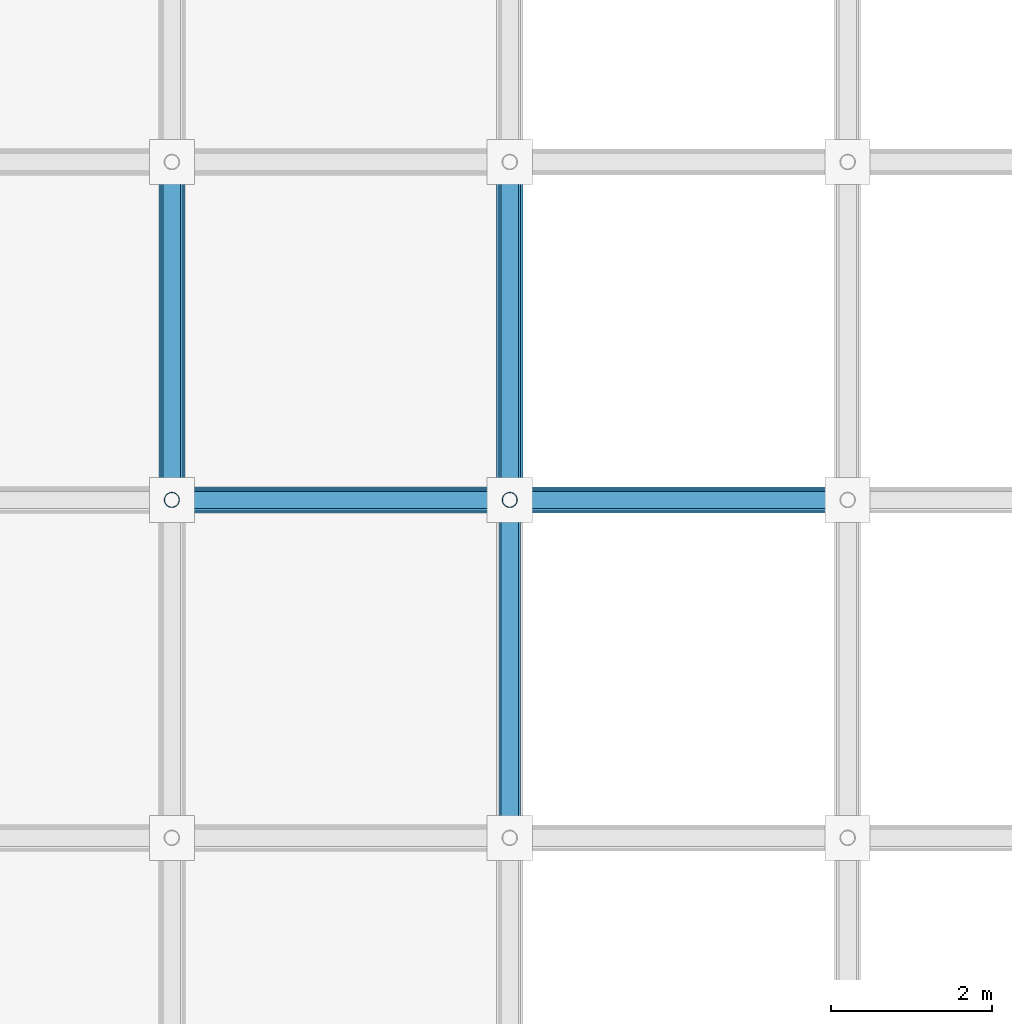
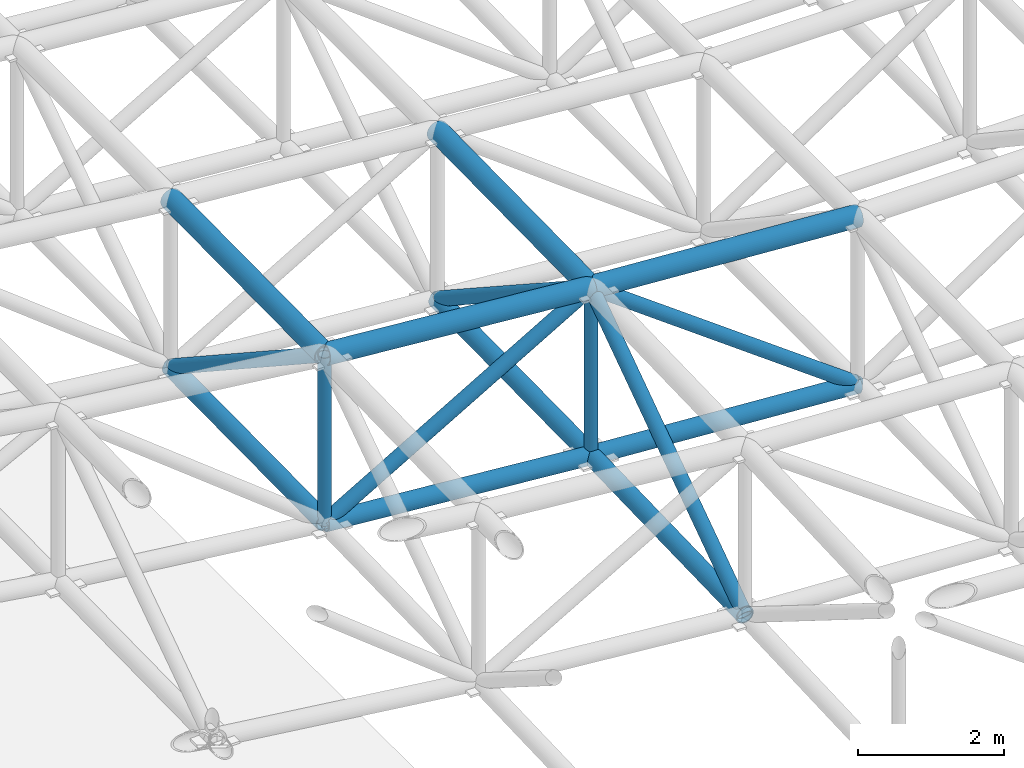
# One storey, part 12 of 93: 16 members.
"""IFC4 building model written with IfcOpenShell, lengths in metres."""

import ifcopenshell
import ifcopenshell.guid

model = None  # the IFC model being written
_history = None  # IfcOwnerHistory: only IFC2X3 demands one
_inside = {}  # id of a spatial element -> (the spatial element, [elements in it])
_under = {}  # id of a project, library or spatial element -> (it, [spatial elements below it])
_declared = {}  # id of a project -> (the project, [libraries it declares])
_typed = {}  # id of a type object -> (the type object, [elements of that type])
_made_of = {}  # id of a material, layer set ... -> (it, [elements and type objects made of it])


def new_model(schema):
    """Start an empty IFC model of exactly this schema.

    Asked for "IFC4X3", IfcOpenShell would pick the latest addendum, in which some entities
    have other attributes; the version numbers below select the first issue.
    IFC2X3 requires an IfcOwnerHistory on every rooted entity: one is made here for all.
    """
    global model, _history
    if schema == "IFC4X3":
        model = ifcopenshell.file(schema_version=(4, 3, 0, 0))
    else:
        model = ifcopenshell.file(schema=schema)
    _inside.clear()
    _under.clear()
    _declared.clear()
    _typed.clear()
    _made_of.clear()
    _history = None
    if model.schema == "IFC2X3":
        org = make("IfcOrganization", Name="unknown")
        user = make(
            "IfcPersonAndOrganization",
            ThePerson=make("IfcPerson", FamilyName="unknown"),
            TheOrganization=org,
        )
        app = make(
            "IfcApplication",
            ApplicationDeveloper=org,
            Version="unknown",
            ApplicationFullName="unknown",
            ApplicationIdentifier="unknown",
        )
        _history = make(
            "IfcOwnerHistory",
            OwningUser=user,
            OwningApplication=app,
            ChangeAction="ADDED",
            CreationDate=0,
        )
    return model


def make(cls, **values):
    """One entity of the class cls with the attributes given. An attribute that is None is left unset."""
    return model.create_entity(
        cls, **{name: value for name, value in values.items() if value is not None}
    )


def rooted(cls, **values):
    """An entity with a GlobalId (a new one), such as an element, a storey or a relation."""
    return make(cls, GlobalId=ifcopenshell.guid.new(), OwnerHistory=_history, **values)


def si_unit(unit_type, name, prefix=None):
    """IfcSIUnit, for example si_unit("LENGTHUNIT", "METRE", prefix="MILLI")."""
    return make("IfcSIUnit", UnitType=unit_type, Prefix=prefix, Name=name)


def assignment(units):
    """IfcUnitAssignment: the units of a project."""
    return None if units is None else make("IfcUnitAssignment", Units=units)


def point(xyz):
    """IfcCartesianPoint."""
    return None if xyz is None else make("IfcCartesianPoint", Coordinates=xyz)


def direction(xyz):
    """IfcDirection."""
    return None if xyz is None else make("IfcDirection", DirectionRatios=xyz)


def frame(location, z_axis=None, x_axis=None):
    """IfcAxis2Placement3D, a coordinate frame: its origin and axes. An axis left out is left unset."""
    return make(
        "IfcAxis2Placement3D",
        Location=point(location),
        Axis=direction(z_axis),
        RefDirection=direction(x_axis),
    )


def frame_2d(location, x_axis=None):
    """IfcAxis2Placement2D, a coordinate frame in the plane: its origin and x axis."""
    return make(
        "IfcAxis2Placement2D", Location=point(location), RefDirection=direction(x_axis)
    )


def origin():
    """The frame at (0, 0, 0) with its axes left unset."""
    return frame((0.0, 0.0, 0.0))


def origin_2d():
    """The frame at (0, 0) in the plane with its x axis left unset."""
    return frame_2d((0.0, 0.0))


def place(relative_to, where):
    """IfcLocalPlacement: puts the frame where relative to a parent placement (None: the world)."""
    return make(
        "IfcLocalPlacement", PlacementRelTo=relative_to, RelativePlacement=where
    )


def context(
    kind, dimensions, precision=None, world=None, true_north=None, identifier=None
):
    """IfcGeometricRepresentationContext, for example the 3D "Model" context."""
    return make(
        "IfcGeometricRepresentationContext",
        ContextIdentifier=identifier,
        ContextType=kind,
        CoordinateSpaceDimension=dimensions,
        Precision=precision,
        WorldCoordinateSystem=world,
        TrueNorth=true_north,
    )


def subcontext(parent, identifier, kind, view, scale=None):
    """IfcGeometricRepresentationSubContext, for example "Body" below "Model"."""
    return make(
        "IfcGeometricRepresentationSubContext",
        ContextIdentifier=identifier,
        ContextType=kind,
        ParentContext=parent,
        TargetScale=scale,
        TargetView=view,
    )


def project(units=None, contexts=None):
    """IfcProject with its units and contexts."""
    return rooted(
        "IfcProject",
        Name="project",
        RepresentationContexts=contexts,
        UnitsInContext=assignment(units),
    )


def spatial(cls, under=None, at=None, **own):
    """A site, building, storey or space (cls), placed at a placement, below another one or the project."""
    s = rooted(cls, ObjectPlacement=at, **own)
    if under is not None:
        _under.setdefault(under.id(), (under, []))[1].append(s)
    return s


def profile(cls, at=None, kind="AREA", **sizes):
    """A parametric profile (cls). Its sizes go by their IFC names, for example OverallWidth=200.0."""
    return make(cls, ProfileType=kind, Position=at, **sizes)


def hollow_circle(**sizes):
    """IfcCircleHollowProfileDef."""
    return profile("IfcCircleHollowProfileDef", **sizes)


def extrude(swept, where, along, depth):
    """IfcExtrudedAreaSolid: the profile swept, set in the frame where, extruded along a direction by depth."""
    return make(
        "IfcExtrudedAreaSolid",
        SweptArea=swept,
        Position=where,
        ExtrudedDirection=direction(along),
        Depth=depth,
    )


def shape(context_of_items, identifier, shape_type, items):
    """IfcShapeRepresentation: the items that make up one representation, for example the "Body"."""
    return make(
        "IfcShapeRepresentation",
        ContextOfItems=context_of_items,
        RepresentationIdentifier=identifier,
        RepresentationType=shape_type,
        Items=items,
    )


def material(Name=None, Category=None):
    """IfcMaterial."""
    return make("IfcMaterial", Name=Name, Category=Category)


def material_profile(
    of_material, cross_section, Name=None, Category=None, Priority=None
):
    """IfcMaterialProfile: a cross section and its material."""
    return make(
        "IfcMaterialProfile",
        Name=Name,
        Material=of_material,
        Profile=cross_section,
        Priority=Priority,
        Category=Category,
    )


def profile_set(profiles, Name=None, composite=None):
    """IfcMaterialProfileSet."""
    return make(
        "IfcMaterialProfileSet",
        Name=Name,
        MaterialProfiles=profiles,
        CompositeProfile=composite,
    )


def made_of(thing, what):
    """Note that an element or type object is made of a material, layer set ...; save() writes the relation."""
    if what is not None:
        _made_of.setdefault(what.id(), (what, []))[1].append(thing)
    return thing


def type_object(cls, material=None, **own):
    """A type object (cls), such as IfcWallType, which elements share."""
    return made_of(rooted(cls, **own), material)


def element(
    cls,
    number,
    at=None,
    inside=None,
    cuts=None,
    type_object=None,
    material=None,
    context=None,
    identifier="Body",
    shape_type=None,
    held_by="IfcProductDefinitionShape",
    body=None,
    shapes=None,
    **own,
):
    """One element of the class cls, such as IfcWall. Its Tag is "e" and its number.

    at: its placement. inside: the storey or other place that contains it. cuts: it is an
    opening in that element (IfcRelVoidsElement). A single representation is given by context,
    identifier, shape_type and body (its items); several are given by shapes. held_by: the class
    of the entity that holds the representations. save() writes the other relations.
    """
    e = rooted(cls, Tag="e%d" % number, ObjectPlacement=at, **own)
    if body is not None:
        shapes = [shape(context, identifier, shape_type, body)]
    if shapes is not None:
        e.Representation = make(held_by, Representations=shapes)
    if inside is not None:
        _inside.setdefault(inside.id(), (inside, []))[1].append(e)
    if cuts is not None:
        rooted(
            "IfcRelVoidsElement", RelatingBuildingElement=cuts, RelatedOpeningElement=e
        )
    if type_object is not None:
        _typed.setdefault(type_object.id(), (type_object, []))[1].append(e)
    return made_of(e, material)


def aggregate(whole, parts):
    """IfcRelAggregates: a whole, such as a stair, and the parts it consists of."""
    return rooted("IfcRelAggregates", RelatingObject=whole, RelatedObjects=parts)


def save(model, path):
    """Write the relations noted so far, then the file.

    IfcRelAggregates (storeys below a building ...), IfcRelContainedInSpatialStructure (elements
    in a storey), IfcRelDefinesByType, IfcRelAssociatesMaterial and IfcRelDeclares: one each for
    every whole, place, type object, material and project.
    """
    for whole, parts in _under.values():
        aggregate(whole, parts)
    for where, things in _inside.values():
        rooted(
            "IfcRelContainedInSpatialStructure",
            RelatedElements=things,
            RelatingStructure=where,
        )
    for kind, things in _typed.values():
        rooted("IfcRelDefinesByType", RelatedObjects=things, RelatingType=kind)
    for what, things in _made_of.values():
        rooted("IfcRelAssociatesMaterial", RelatedObjects=things, RelatingMaterial=what)
    for by, libraries in _declared.values():
        rooted("IfcRelDeclares", RelatingContext=by, RelatedDefinitions=libraries)
    model.write(path)


model = new_model("IFC4")

# Units and contexts
model_context = context("Model", 3, precision=1e-05, world=origin(), true_north=direction((0.0, 1.0)))
body_context = subcontext(model_context, "Body", "Model", "MODEL_VIEW")
ifc_project = project(units=[si_unit("LENGTHUNIT", "METRE"), si_unit("AREAUNIT", "SQUARE_METRE"), si_unit("VOLUMEUNIT", "CUBIC_METRE"), si_unit("PLANEANGLEUNIT", "RADIAN"), si_unit("MASSUNIT", "GRAM", prefix="KILO")], contexts=[model_context])

# Site, building, storey
site_placement = place(None, origin())
site = spatial("IfcSite", under=ifc_project, at=site_placement, CompositionType="ELEMENT")
building_placement = place(site_placement, origin())
building = spatial("IfcBuilding", under=site, at=building_placement, Name="Cumbredor Promenade Congress Hotel", CompositionType="ELEMENT")
storey_placement = place(building_placement, frame((0.0, 0.0, 21.840087890625)))
storey = spatial("IfcBuildingStorey", under=building, at=storey_placement, Name="L06", CompositionType="ELEMENT", Elevation=21.840087890625)

# Members
ifc_material = material(Name="Steel ASTM A500 Grade C", Category="steel")
ifc_material_profile_1 = material_profile(ifc_material, hollow_circle(Radius=0.136474609375, WallThickness=0.01611328125, at=origin_2d()), Name="CHS 273.0x16")
ifc_profile_set_1 = profile_set([ifc_material_profile_1], Name="Steel ASTM A500 Grade C")
member_type_1 = type_object("IfcMemberType", Name="Plenary Roof Space Frame Bottom Chord", PredefinedType="CHORD", material=ifc_profile_set_1)
member_1_placement = place(storey_placement, frame((21.0, 29.39990234375, 8.49560546875), z_axis=(0.996534162961, 0.0, -0.083184506075), x_axis=(0.0, 1.0, 0.0)))
element("IfcMember", 1, at=member_1_placement, inside=storey, type_object=member_type_1, Name="Plenary Congress Hall X Bottom Chord 7.8", PredefinedType="CHORD", context=body_context, shape_type="SweptSolid", body=[
    extrude(hollow_circle(Radius=0.136474609375, WallThickness=0.01611328125, at=origin_2d()), origin(), (0.0, 0.0, 1.0), 4.214599609375),
])
member_2_placement = place(storey_placement, frame((25.199951171875, 29.39990234375, 8.14501953125), z_axis=(0.997776937839, 0.0, -0.06664219622), x_axis=(0.0, 1.0, 0.0)))
element("IfcMember", 2, at=member_2_placement, inside=storey, type_object=member_type_1, Name="Plenary Congress Hall X Bottom Chord 8.8", PredefinedType="CHORD", context=body_context, shape_type="SweptSolid", body=[
    extrude(hollow_circle(Radius=0.136474609375, WallThickness=0.01611328125, at=origin_2d()), origin(), (0.0, 0.0, 1.0), 4.209228515625),
])
member_3_placement = place(storey_placement, frame((21.0, 29.39990234375, 8.49560546875), z_axis=(0.0, 0.999935109517, 0.011391960094), x_axis=(-1.0, 0.0, 0.0)))
element("IfcMember", 3, at=member_3_placement, inside=storey, type_object=member_type_1, Name="Plenary Congress Hall Y Bottom Chord 7.8", PredefinedType="CHORD", context=body_context, shape_type="SweptSolid", body=[
    extrude(hollow_circle(Radius=0.136474609375, WallThickness=0.01611328125, at=origin_2d()), origin(), (0.0, 0.0, 1.0), 4.200439453125),
])
member_4_placement = place(storey_placement, frame((25.199951171875, 25.199951171875, 8.02880859375), z_axis=(0.0, 0.999617416492, 0.027659006583), x_axis=(-1.0, 0.0, 0.0)))
element("IfcMember", 4, at=member_4_placement, inside=storey, type_object=member_type_1, Name="Plenary Congress Hall Y Bottom Chord 8.7", PredefinedType="CHORD", context=body_context, shape_type="SweptSolid", body=[
    extrude(hollow_circle(Radius=0.136474609375, WallThickness=0.01611328125, at=origin_2d()), origin(), (0.0, 0.0, 1.0), 4.20166015625),
])
member_5_placement = place(storey_placement, frame((25.199951171875, 29.39990234375, 8.14501953125), z_axis=(0.0, 0.999903518492, 0.01389077778), x_axis=(-1.0, 0.0, 0.0)))
element("IfcMember", 5, at=member_5_placement, inside=storey, type_object=member_type_1, Name="Plenary Congress Hall Y Bottom Chord 8.8", PredefinedType="CHORD", context=body_context, shape_type="SweptSolid", body=[
    extrude(hollow_circle(Radius=0.136474609375, WallThickness=0.01611328125, at=origin_2d()), origin(), (0.0, 0.0, 1.0), 4.20068359375),
])
ifc_material_profile_2 = material_profile(ifc_material, hollow_circle(Radius=0.161865234375, WallThickness=0.01611328125, at=origin_2d()), Name="CHS 323.9x16")
ifc_profile_set_2 = profile_set([ifc_material_profile_2], Name="Steel ASTM A500 Grade C")
member_type_2 = type_object("IfcMemberType", Name="Plenary Roof Space Frame Top Chord", PredefinedType="CHORD", material=ifc_profile_set_2)
member_6_placement = place(storey_placement, frame((21.0, 29.39990234375, 11.29541015625), z_axis=(0.996538963329, 0.0, -0.083126978572), x_axis=(0.0, 1.0, 0.0)))
element("IfcMember", 6, at=member_6_placement, inside=storey, type_object=member_type_2, Name="Plenary Congress Hall X Top Chord 7.8", PredefinedType="CHORD", context=body_context, shape_type="SweptSolid", body=[
    extrude(hollow_circle(Radius=0.161865234375, WallThickness=0.01611328125, at=origin_2d()), origin(), (0.0, 0.0, 1.0), 4.214599609375),
])
member_7_placement = place(storey_placement, frame((25.199951171875, 29.39990234375, 10.945068359375), z_axis=(0.997776937839, 0.0, -0.06664219622), x_axis=(0.0, 1.0, 0.0)))
element("IfcMember", 7, at=member_7_placement, inside=storey, type_object=member_type_2, Name="Plenary Congress Hall X Top Chord 8.8", PredefinedType="CHORD", context=body_context, shape_type="SweptSolid", body=[
    extrude(hollow_circle(Radius=0.161865234375, WallThickness=0.01611328125, at=origin_2d()), origin(), (0.0, 0.0, 1.0), 4.209228515625),
])
member_8_placement = place(storey_placement, frame((21.0, 29.39990234375, 11.29541015625), z_axis=(0.0, 0.999934445746, 0.011450074739), x_axis=(-1.0, 0.0, 0.0)))
element("IfcMember", 8, at=member_8_placement, inside=storey, type_object=member_type_2, Name="Plenary Congress Hall Y Top Chord 7.8", PredefinedType="CHORD", context=body_context, shape_type="SweptSolid", body=[
    extrude(hollow_circle(Radius=0.161865234375, WallThickness=0.01611328125, at=origin_2d()), origin(), (0.0, 0.0, 1.0), 4.200439453125),
])
member_9_placement = place(storey_placement, frame((25.199951171875, 29.39990234375, 10.945068359375), z_axis=(0.0, 0.999903518492, 0.01389077778), x_axis=(-1.0, 0.0, 0.0)))
element("IfcMember", 9, at=member_9_placement, inside=storey, type_object=member_type_2, Name="Plenary Congress Hall Y Top Chord 8.8", PredefinedType="CHORD", context=body_context, shape_type="SweptSolid", body=[
    extrude(hollow_circle(Radius=0.161865234375, WallThickness=0.01611328125, at=origin_2d()), origin(), (0.0, 0.0, 1.0), 4.20068359375),
])
ifc_material_profile_3 = material_profile(ifc_material, hollow_circle(Radius=0.109619140625, WallThickness=0.012451171875, at=origin_2d()), Name="CHS 219.1x12.5")
ifc_profile_set_3 = profile_set([ifc_material_profile_3], Name="Steel ASTM A500 Grade C")
member_type_3 = type_object("IfcMemberType", Name="Space Frame Web Diagonal D1", PredefinedType="BRACE", material=ifc_profile_set_3)
member_10_placement = place(storey_placement, frame((21.0, 29.39990234375, 8.49560546875), z_axis=(0.863824427831, 0.0, 0.503792971251), x_axis=(0.0, 1.0, 0.0)))
element("IfcMember", 10, at=member_10_placement, inside=storey, type_object=member_type_3, Name="Plenary Congress Hall X Web Diagonal 7.8", PredefinedType="BRACE", context=body_context, shape_type="SweptSolid", body=[
    extrude(hollow_circle(Radius=0.109619140625, WallThickness=0.012451171875, at=origin_2d()), origin(), (0.0, 0.0, 1.0), 4.862060546875),
])
member_11_placement = place(storey_placement, frame((25.199951171875, 29.39990234375, 10.945068359375), z_axis=(0.806349856049, 0.0, -0.591438846923), x_axis=(0.0, 1.0, 0.0)))
element("IfcMember", 11, at=member_11_placement, inside=storey, type_object=member_type_3, Name="Plenary Congress Hall X Web Diagonal 8.8", PredefinedType="BRACE", context=body_context, shape_type="SweptSolid", body=[
    extrude(hollow_circle(Radius=0.109619140625, WallThickness=0.012451171875, at=origin_2d()), origin(), (0.0, 0.0, 1.0), 5.20849609375),
])
member_12_placement = place(storey_placement, frame((21.0, 29.39990234375, 11.29541015625), z_axis=(0.0, 0.836451907104, -0.548040333462), x_axis=(-1.0, 0.0, 0.0)))
element("IfcMember", 12, at=member_12_placement, inside=storey, type_object=member_type_3, Name="Plenary Congress Hall Y Web Diagonal 7.8", PredefinedType="BRACE", context=body_context, shape_type="SweptSolid", body=[
    extrude(hollow_circle(Radius=0.109619140625, WallThickness=0.012451171875, at=origin_2d()), origin(), (0.0, 0.0, 1.0), 5.021484375),
])
member_13_placement = place(storey_placement, frame((25.199951171875, 25.199951171875, 8.02880859375), z_axis=(0.0, 0.821404140734, 0.570346594261), x_axis=(-1.0, 0.0, 0.0)))
element("IfcMember", 13, at=member_13_placement, inside=storey, type_object=member_type_3, Name="Plenary Congress Hall Y Web Diagonal 8.7", PredefinedType="BRACE", context=body_context, shape_type="SweptSolid", body=[
    extrude(hollow_circle(Radius=0.109619140625, WallThickness=0.012451171875, at=origin_2d()), origin(), (0.0, 0.0, 1.0), 5.113037109375),
])
member_14_placement = place(storey_placement, frame((25.199951171875, 29.39990234375, 10.945068359375), z_axis=(0.0, 0.837387814541, -0.54660922793), x_axis=(-1.0, 0.0, 0.0)))
element("IfcMember", 14, at=member_14_placement, inside=storey, type_object=member_type_3, Name="Plenary Congress Hall Y Web Diagonal 8.8", PredefinedType="BRACE", context=body_context, shape_type="SweptSolid", body=[
    extrude(hollow_circle(Radius=0.109619140625, WallThickness=0.012451171875, at=origin_2d()), origin(), (0.0, 0.0, 1.0), 5.015869140625),
])
ifc_material_profile_4 = material_profile(ifc_material, hollow_circle(Radius=0.096923828125, WallThickness=0.010009765625, at=origin_2d()), Name="CHS 193.7x10")
ifc_profile_set_4 = profile_set([ifc_material_profile_4], Name="Steel ASTM A500 Grade C")
member_type_4 = type_object("IfcMemberType", Name="Space Frame Web Post P1", PredefinedType="BRACE", material=ifc_profile_set_4)
member_15_placement = place(storey_placement, frame((21.0, 29.39990234375, 8.49560546875), z_axis=(0.0, 0.0, 1.0), x_axis=(1.0, 0.0, 0.0)))
element("IfcMember", 15, at=member_15_placement, inside=storey, type_object=member_type_4, Name="Plenary Congress Hall Space Frame Web Post 7.8", PredefinedType="BRACE", context=body_context, shape_type="SweptSolid", body=[
    extrude(hollow_circle(Radius=0.096923828125, WallThickness=0.010009765625, at=origin_2d()), origin(), (0.0, 0.0, 1.0), 2.7998046875),
])
member_16_placement = place(storey_placement, frame((25.199951171875, 29.39990234375, 8.14501953125), z_axis=(0.0, 0.0, 1.0), x_axis=(1.0, 0.0, 0.0)))
element("IfcMember", 16, at=member_16_placement, inside=storey, type_object=member_type_4, Name="Plenary Congress Hall Space Frame Web Post 8.8", PredefinedType="BRACE", context=body_context, shape_type="SweptSolid", body=[
    extrude(hollow_circle(Radius=0.096923828125, WallThickness=0.010009765625, at=origin_2d()), origin(), (0.0, 0.0, 1.0), 2.800048828125),
])

save(model, "model.ifc")
